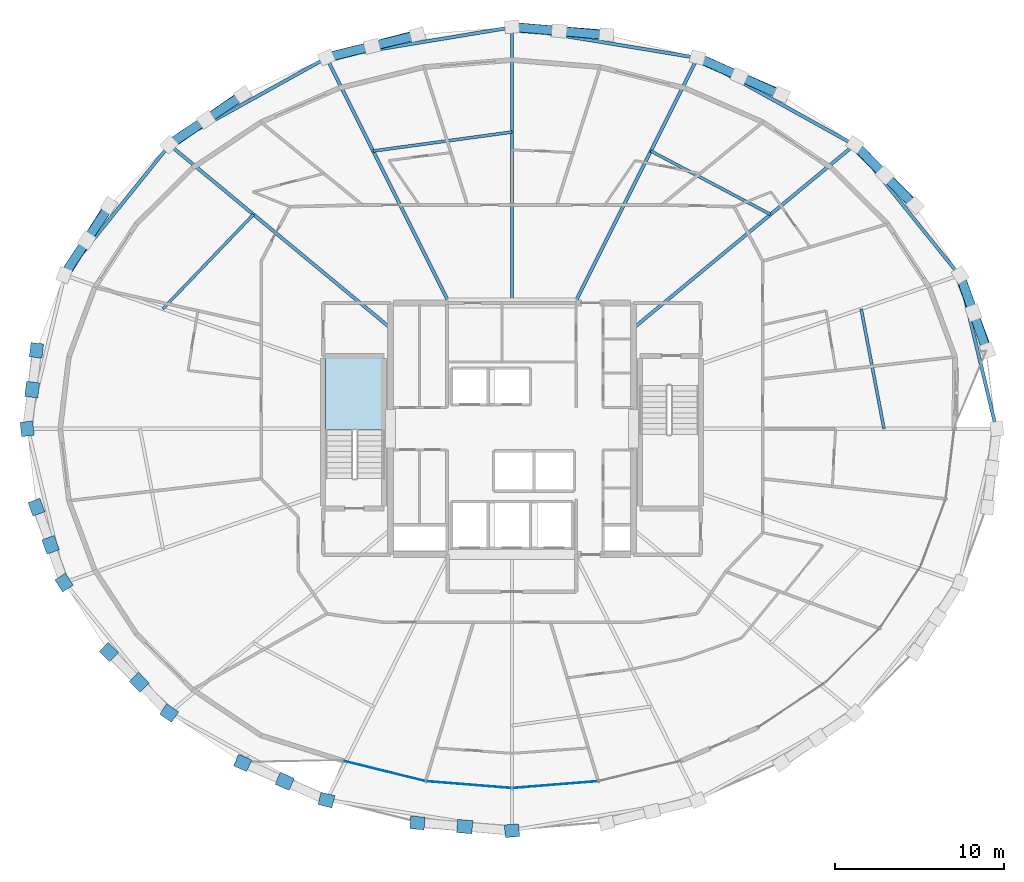
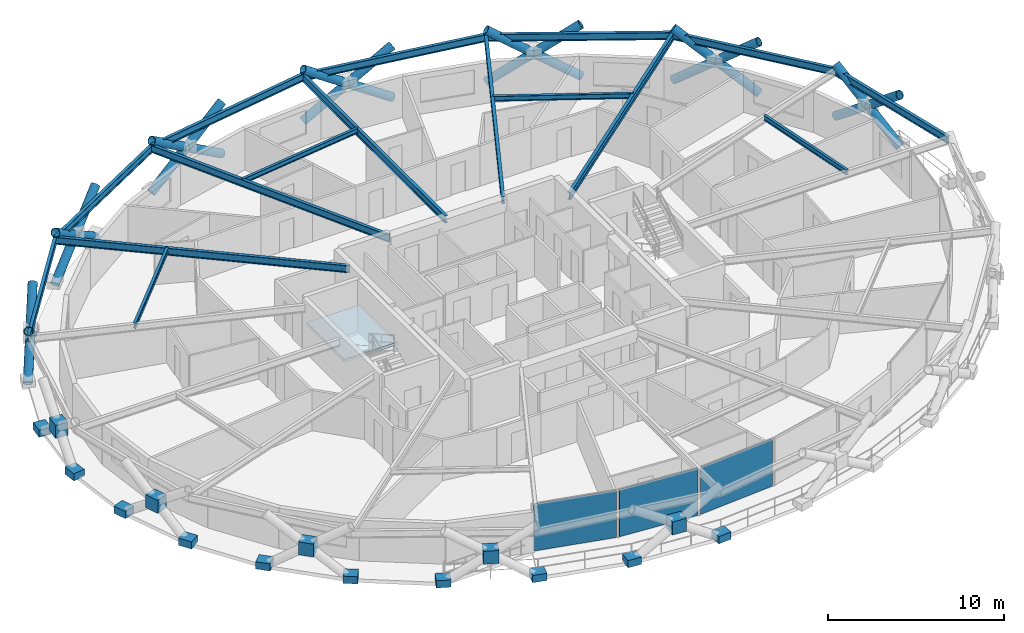
# One storey, part 11 of 20: 21 members, 18 plates, 16 beams, 1 slab, 2 elements without a shape of their own.
"""IFC4 building model written with IfcOpenShell, lengths in metres."""

from ifc_helpers import new_model, si_unit, direction, frame, origin, origin_2d, place, context, subcontext, project, spatial, polyline, rectangle, hollow_circle, i_section, outline, extrude, material, layer, layer_set, material_profile, profile_set, type_object, element, aggregate, save


model = new_model("IFC4")

# Units and contexts
model_context = context("Model", 3, precision=1e-05, world=origin(), true_north=direction((0.0, 1.0)))
body_context = subcontext(model_context, "Body", "Model", "MODEL_VIEW")
ifc_project = project(units=[si_unit("LENGTHUNIT", "METRE"), si_unit("AREAUNIT", "SQUARE_METRE"), si_unit("VOLUMEUNIT", "CUBIC_METRE"), si_unit("PLANEANGLEUNIT", "RADIAN"), si_unit("MASSUNIT", "GRAM", prefix="KILO")], contexts=[model_context])

# Site, building, storey
site_placement = place(None, origin())
site = spatial("IfcSite", under=ifc_project, at=site_placement, CompositionType="ELEMENT")
building_placement = place(site_placement, origin())
building = spatial("IfcBuilding", under=site, at=building_placement, Name="Veldorina Hangang Commons", CompositionType="ELEMENT")
storey_placement = place(building_placement, frame((0.0, 0.0, 117.199951171875)))
storey = spatial("IfcBuildingStorey", under=building, at=storey_placement, Name="L29", CompositionType="ELEMENT", Elevation=117.199951171875)

# Beams
ifc_material_1 = material(Name="Steel SM420-TMC", Category="steel")
ifc_material_profile_1 = material_profile(ifc_material_1, i_section(OverallWidth=0.199951171875, OverallDepth=0.5, WebThickness=0.010009765625, FlangeThickness=0.01611328125, FilletRadius=0.01611328125, at=origin_2d()), Name="H-500x200x10x16")
ifc_profile_set_1 = profile_set([ifc_material_profile_1], Name="Steel SM420-TMC")
beam_type_1 = type_object("IfcBeamType", Name="BM-FG500", PredefinedType="BEAM", material=ifc_profile_set_1)
beam_1_placement = place(storey_placement, frame((39.199951171875, 29.968994140625, 3.10009765625), z_axis=(0.769841337757, 0.638235312937, 0.0), x_axis=(-0.638235312937, 0.769841337757, 0.0)))
element("IfcBeam", 1, at=beam_1_placement, inside=storey, type_object=beam_type_1, Name="L29 radial floor girder 03", PredefinedType="BEAM", context=body_context, shape_type="SweptSolid", body=[
    extrude(i_section(OverallWidth=0.199951171875, OverallDepth=0.5, WebThickness=0.010009765625, FlangeThickness=0.01611328125, FilletRadius=0.01611328125, at=origin_2d()), origin(), (0.0, 0.0, 1.0), 16.9833984375),
])
beam_2_placement = place(storey_placement, frame((35.72216796875, 31.449951171875, 3.10009765625), z_axis=(0.446948690649, 0.894559594397, 0.0), x_axis=(-0.894559594397, 0.446948690649, 0.0)))
element("IfcBeam", 2, at=beam_2_placement, inside=storey, type_object=beam_type_1, Name="L29 radial floor girder 04", PredefinedType="BEAM", context=body_context, shape_type="SweptSolid", body=[
    extrude(i_section(OverallWidth=0.199951171875, OverallDepth=0.5, WebThickness=0.010009765625, FlangeThickness=0.01611328125, FilletRadius=0.01611328125, at=origin_2d()), origin(), (0.0, 0.0, 1.0), 16.2216796875),
])
beam_3_placement = place(storey_placement, frame((32.0, 31.449951171875, 3.10009765625), z_axis=(0.0, 1.0, 0.0), x_axis=(-1.0, 0.0, 0.0)))
element("IfcBeam", 3, at=beam_3_placement, inside=storey, type_object=beam_type_1, Name="L29 radial floor girder 05", PredefinedType="BEAM", context=body_context, shape_type="SweptSolid", body=[
    extrude(i_section(OverallWidth=0.199951171875, OverallDepth=0.5, WebThickness=0.010009765625, FlangeThickness=0.01611328125, FilletRadius=0.01611328125, at=origin_2d()), origin(), (0.0, 0.0, 1.0), 16.32080078125),
])
beam_4_placement = place(storey_placement, frame((28.27783203125, 31.449951171875, 3.10009765625), z_axis=(-0.446948690649, 0.894559594397, 0.0), x_axis=(-0.894559594397, -0.446948690649, 0.0)))
element("IfcBeam", 4, at=beam_4_placement, inside=storey, type_object=beam_type_1, Name="L29 radial floor girder 06", PredefinedType="BEAM", context=body_context, shape_type="SweptSolid", body=[
    extrude(i_section(OverallWidth=0.199951171875, OverallDepth=0.5, WebThickness=0.010009765625, FlangeThickness=0.01611328125, FilletRadius=0.01611328125, at=origin_2d()), origin(), (0.0, 0.0, 1.0), 16.2216796875),
])
beam_5_placement = place(storey_placement, frame((24.800048828125, 29.968994140625, 3.10009765625), z_axis=(-0.769841337757, 0.638235312937, 0.0), x_axis=(-0.638235312937, -0.769841337757, 0.0)))
element("IfcBeam", 5, at=beam_5_placement, inside=storey, type_object=beam_type_1, Name="L29 radial floor girder 07", PredefinedType="BEAM", context=body_context, shape_type="SweptSolid", body=[
    extrude(i_section(OverallWidth=0.199951171875, OverallDepth=0.5, WebThickness=0.010009765625, FlangeThickness=0.01611328125, FilletRadius=0.01611328125, at=origin_2d()), origin(), (0.0, 0.0, 1.0), 16.9833984375),
])
ifc_material_2 = material(Name="Steel SM355-TMC", Category="steel")
ifc_material_profile_2 = material_profile(ifc_material_2, i_section(OverallWidth=0.175048828125, OverallDepth=0.35009765625, WebThickness=0.007080078125, FlangeThickness=0.010986328125, FilletRadius=0.012939453125, at=origin_2d()), Name="H-350x175x7x11")
ifc_profile_set_2 = profile_set([ifc_material_profile_2], Name="Steel SM355-TMC")
beam_type_2 = type_object("IfcBeamType", Name="BM-JST350", PredefinedType="JOIST", material=ifc_profile_set_2)
beam_6_placement = place(storey_placement, frame((54.025390625, 24.0, 3.175048828125), z_axis=(-0.187259583318, 0.982310464393, 0.0), x_axis=(-0.982310464393, -0.187259583318, 0.0)))
element("IfcBeam", 6, at=beam_6_placement, inside=storey, type_object=beam_type_2, Name="L29 secondary floor joist 01", PredefinedType="JOIST", context=body_context, shape_type="SweptSolid", body=[
    extrude(i_section(OverallWidth=0.175048828125, OverallDepth=0.35009765625, WebThickness=0.007080078125, FlangeThickness=0.010986328125, FilletRadius=0.012939453125, at=origin_2d()), origin(), (0.0, 0.0, 1.0), 7.226806640625),
])
beam_7_placement = place(storey_placement, frame((47.30615234375, 36.689453125, 3.175048828125), z_axis=(-0.883548724399, 0.468339248423, 0.0), x_axis=(-0.468339248423, -0.883548724399, 0.0)))
element("IfcBeam", 7, at=beam_7_placement, inside=storey, type_object=beam_type_2, Name="L29 secondary floor joist 03", PredefinedType="JOIST", context=body_context, shape_type="SweptSolid", body=[
    extrude(i_section(OverallWidth=0.175048828125, OverallDepth=0.35009765625, WebThickness=0.007080078125, FlangeThickness=0.010986328125, FilletRadius=0.012939453125, at=origin_2d()), origin(), (0.0, 0.0, 1.0), 8.023193359375),
])
beam_8_placement = place(storey_placement, frame((32.0, 41.56884765625, 3.175048828125), z_axis=(-0.990809376873, -0.135265585796, 0.0), x_axis=(0.135265585796, -0.990809376873, 0.0)))
element("IfcBeam", 8, at=beam_8_placement, inside=storey, type_object=beam_type_2, Name="L29 secondary floor joist 05", PredefinedType="JOIST", context=body_context, shape_type="SweptSolid", body=[
    extrude(i_section(OverallWidth=0.175048828125, OverallDepth=0.35009765625, WebThickness=0.007080078125, FlangeThickness=0.010986328125, FilletRadius=0.012939453125, at=origin_2d()), origin(), (0.0, 0.0, 1.0), 8.29345703125),
])
beam_9_placement = place(storey_placement, frame((16.69384765625, 36.689453125, 3.175048828125), z_axis=(-0.692465587052, -0.721450906679, 0.0), x_axis=(0.721450906679, -0.692465587052, 0.0)))
element("IfcBeam", 9, at=beam_9_placement, inside=storey, type_object=beam_type_2, Name="L29 secondary floor joist 07", PredefinedType="JOIST", context=body_context, shape_type="SweptSolid", body=[
    extrude(i_section(OverallWidth=0.175048828125, OverallDepth=0.35009765625, WebThickness=0.007080078125, FlangeThickness=0.010986328125, FilletRadius=0.012939453125, at=origin_2d()), origin(), (0.0, 0.0, 1.0), 7.7490234375),
])
ifc_material_profile_3 = material_profile(ifc_material_1, i_section(OverallWidth=0.199951171875, OverallDepth=0.5, WebThickness=0.010009765625, FlangeThickness=0.01611328125, FilletRadius=0.01611328125, at=origin_2d()), Name="H-500x200x10x16")
ifc_profile_set_3 = profile_set([ifc_material_profile_3], Name="Steel SM420-TMC")
beam_type_3 = type_object("IfcBeamType", Name="BM-RB500", PredefinedType="BEAM", material=ifc_profile_set_3)
beam_10_placement = place(storey_placement, frame((60.672607421875, 24.0, 3.10009765625), z_axis=(-0.233313728746, 0.972401513768, 0.0), x_axis=(-0.972401513768, -0.233313728746, 0.0)))
element("IfcBeam", 10, at=beam_10_placement, inside=storey, type_object=beam_type_3, Name="L29 perimeter hoop ring beam 00", PredefinedType="BEAM", context=body_context, shape_type="SweptSolid", body=[
    extrude(i_section(OverallWidth=0.199951171875, OverallDepth=0.5, WebThickness=0.010009765625, FlangeThickness=0.01611328125, FilletRadius=0.01611328125, at=origin_2d()), origin(), (0.0, 0.0, 1.0), 9.35498046875),
])
beam_11_placement = place(storey_placement, frame((58.489990234375, 33.0966796875, 3.10009765625), z_axis=(-0.627537549374, 0.778586298444, 0.0), x_axis=(-0.778586298444, -0.627537549374, 0.0)))
element("IfcBeam", 11, at=beam_11_placement, inside=storey, type_object=beam_type_3, Name="L29 perimeter hoop ring beam 02", PredefinedType="BEAM", context=body_context, shape_type="SweptSolid", body=[
    extrude(i_section(OverallWidth=0.199951171875, OverallDepth=0.5, WebThickness=0.010009765625, FlangeThickness=0.01611328125, FilletRadius=0.01611328125, at=origin_2d()), origin(), (0.0, 0.0, 1.0), 9.90478515625),
])
beam_12_placement = place(storey_placement, frame((52.2744140625, 40.808349609375, 3.10009765625), z_axis=(-0.874753328525, 0.484568482503, 0.0), x_axis=(-0.484568482503, -0.874753328525, 0.0)))
element("IfcBeam", 12, at=beam_12_placement, inside=storey, type_object=beam_type_3, Name="L29 perimeter hoop ring beam 04", PredefinedType="BEAM", context=body_context, shape_type="SweptSolid", body=[
    extrude(i_section(OverallWidth=0.199951171875, OverallDepth=0.5, WebThickness=0.010009765625, FlangeThickness=0.01611328125, FilletRadius=0.01611328125, at=origin_2d()), origin(), (0.0, 0.0, 1.0), 10.6337890625),
])
for number, where, z_axis, x_axis, name in (
    (13, (42.972412109375, 45.961181640625, 3.10009765625), (-0.986671965212, 0.162721950162, 0.0), (-0.162721950162, -0.986671965212, 0.0), "L29 perimeter hoop ring beam 06"),
    (14, (32.0, 47.770751953125, 3.10009765625), (-0.986671965212, -0.162721950162, 0.0), (0.162721950162, -0.986671965212, 0.0), "L29 perimeter hoop ring beam 08"),
):
    element("IfcBeam", number, at=place(storey_placement, frame(where, z_axis=z_axis, x_axis=x_axis)), inside=storey, type_object=beam_type_3, Name=name, PredefinedType="BEAM", context=body_context, shape_type="SweptSolid", body=[
        extrude(i_section(OverallWidth=0.199951171875, OverallDepth=0.5, WebThickness=0.010009765625, FlangeThickness=0.01611328125, FilletRadius=0.01611328125, at=origin_2d()), origin(), (0.0, 0.0, 1.0), 11.12060546875),
    ])
beam_13_placement = place(storey_placement, frame((21.027587890625, 45.961181640625, 3.10009765625), z_axis=(-0.874753328525, -0.484568482503, 0.0), x_axis=(0.484568482503, -0.874753328525, 0.0)))
element("IfcBeam", 15, at=beam_13_placement, inside=storey, type_object=beam_type_3, Name="L29 perimeter hoop ring beam 10", PredefinedType="BEAM", context=body_context, shape_type="SweptSolid", body=[
    extrude(i_section(OverallWidth=0.199951171875, OverallDepth=0.5, WebThickness=0.010009765625, FlangeThickness=0.01611328125, FilletRadius=0.01611328125, at=origin_2d()), origin(), (0.0, 0.0, 1.0), 10.6337890625),
])
beam_14_placement = place(storey_placement, frame((11.7255859375, 40.808349609375, 3.10009765625), z_axis=(-0.627537549374, -0.778586298444, 0.0), x_axis=(0.778586298444, -0.627537549374, 0.0)))
element("IfcBeam", 16, at=beam_14_placement, inside=storey, type_object=beam_type_3, Name="L29 perimeter hoop ring beam 12", PredefinedType="BEAM", context=body_context, shape_type="SweptSolid", body=[
    extrude(i_section(OverallWidth=0.199951171875, OverallDepth=0.5, WebThickness=0.010009765625, FlangeThickness=0.01611328125, FilletRadius=0.01611328125, at=origin_2d()), origin(), (0.0, 0.0, 1.0), 9.90478515625),
])

# Members
ifc_material_profile_4 = material_profile(ifc_material_1, hollow_circle(Radius=0.27490234375, WallThickness=0.028076171875, at=origin_2d()), Name="CHS-550x28")
ifc_profile_set_4 = profile_set([ifc_material_profile_4], Name="Steel SM420-TMC")
member_type = type_object("IfcMemberType", Name="DG-CHS550", PredefinedType="BRACE", material=ifc_profile_set_4)
member_1_placement = place(storey_placement, frame((60.15478515625, 28.64208984375, 0.0), z_axis=(-0.279959513186, 0.746558701829, 0.603550143485), x_axis=(-0.936329177569, -0.351123441588, 0.0)))
element("IfcMember", 17, at=member_1_placement, inside=storey, type_object=member_type, Name="L29 continuous perimeter diagrid brace 01", PredefinedType="BRACE", context=body_context, shape_type="SweptSolid", body=[
    extrude(hollow_circle(Radius=0.27490234375, WallThickness=0.028076171875, at=origin_2d()), origin(), (0.0, 0.0, 1.0), 5.96484375),
])
member_2_placement = place(storey_placement, frame((58.521240234375, 33.105712890625, 0.0), z_axis=(0.267832176718, -0.750241432304, 0.604486326039), x_axis=(0.941786114465, 0.336212603275, 0.0)))
element("IfcMember", 18, at=member_2_placement, inside=storey, type_object=member_type, Name="L29 split perimeter diagrid lower brace 02", PredefinedType="BRACE", context=body_context, shape_type="SweptSolid", body=[
    extrude(hollow_circle(Radius=0.27490234375, WallThickness=0.028076171875, at=origin_2d()), origin(), (0.0, 0.0, 1.0), 2.979736328125),
])
member_3_placement = place(storey_placement, frame((59.3193359375, 30.8701171875, 1.80126953125), z_axis=(0.267732602227, -0.750373114331, 0.604366977087), x_axis=(0.941844358319, 0.336049408128, 0.0)))
element("IfcMember", 19, at=member_3_placement, inside=storey, type_object=member_type, Name="L29 split perimeter diagrid upper brace 02", PredefinedType="BRACE", context=body_context, shape_type="SweptSolid", body=[
    extrude(hollow_circle(Radius=0.27490234375, WallThickness=0.028076171875, at=origin_2d()), origin(), (0.0, 0.0, 1.0), 2.976318359375),
])
member_4_placement = place(storey_placement, frame((55.86865234375, 37.219482421875, 0.0), z_axis=(-0.57788530156, 0.575963983893, 0.578198986077), x_axis=(-0.705928372541, -0.708283229254, 0.0)))
element("IfcMember", 20, at=member_4_placement, inside=storey, type_object=member_type, Name="L29 continuous perimeter diagrid brace 03", PredefinedType="BRACE", context=body_context, shape_type="SweptSolid", body=[
    extrude(hollow_circle(Radius=0.27490234375, WallThickness=0.028076171875, at=origin_2d()), origin(), (0.0, 0.0, 1.0), 6.226318359375),
])
member_5_placement = place(storey_placement, frame((52.298583984375, 40.8251953125, 0.0), z_axis=(0.569545340368, -0.582821638647, 0.57960076155), x_axis=(0.715205820325, 0.698913896395, 0.0)))
element("IfcMember", 21, at=member_5_placement, inside=storey, type_object=member_type, Name="L29 split perimeter diagrid lower brace 04", PredefinedType="BRACE", context=body_context, shape_type="SweptSolid", body=[
    extrude(hollow_circle(Radius=0.27490234375, WallThickness=0.028076171875, at=origin_2d()), origin(), (0.0, 0.0, 1.0), 3.107666015625),
])
member_6_placement = place(storey_placement, frame((54.068603515625, 39.013916015625, 1.80126953125), z_axis=(0.569323910188, -0.583088995057, 0.579549401805), x_axis=(0.715501833147, 0.698610855028, 0.0)))
element("IfcMember", 22, at=member_6_placement, inside=storey, type_object=member_type, Name="L29 split perimeter diagrid upper brace 04", PredefinedType="BRACE", context=body_context, shape_type="SweptSolid", body=[
    extrude(hollow_circle(Radius=0.27490234375, WallThickness=0.028076171875, at=origin_2d()), origin(), (0.0, 0.0, 1.0), 3.103759765625),
])
member_7_placement = place(storey_placement, frame((47.948486328125, 43.784423828125, 0.0), z_axis=(-0.763910363109, 0.333512999137, 0.552458176283), x_axis=(-0.40011607299, -0.916464471834, 0.0)))
element("IfcMember", 23, at=member_7_placement, inside=storey, type_object=member_type, Name="L29 continuous perimeter diagrid brace 05", PredefinedType="BRACE", context=body_context, shape_type="SweptSolid", body=[
    extrude(hollow_circle(Radius=0.27490234375, WallThickness=0.028076171875, at=origin_2d()), origin(), (0.0, 0.0, 1.0), 6.5166015625),
])
member_8_placement = place(storey_placement, frame((42.985595703125, 45.9833984375, 0.0), z_axis=(0.759614968066, -0.341549175351, 0.553470198933), x_axis=(0.410087520721, 0.912046175009, 0.0)))
element("IfcMember", 24, at=member_8_placement, inside=storey, type_object=member_type, Name="L29 split perimeter diagrid lower brace 06", PredefinedType="BRACE", context=body_context, shape_type="SweptSolid", body=[
    extrude(hollow_circle(Radius=0.27490234375, WallThickness=0.028076171875, at=origin_2d()), origin(), (0.0, 0.0, 1.0), 3.25439453125),
])
member_9_placement = place(storey_placement, frame((45.457763671875, 44.871826171875, 1.80126953125), z_axis=(0.759583391883, -0.341632245479, 0.553462265763), x_axis=(0.410184664106, 0.912002489762, 0.0)))
element("IfcMember", 25, at=member_9_placement, inside=storey, type_object=member_type, Name="L29 split perimeter diagrid upper brace 06", PredefinedType="BRACE", context=body_context, shape_type="SweptSolid", body=[
    extrude(hollow_circle(Radius=0.27490234375, WallThickness=0.028076171875, at=origin_2d()), origin(), (0.0, 0.0, 1.0), 3.250244140625),
])
member_10_placement = place(storey_placement, frame((37.600341796875, 47.33740234375, 0.0), z_axis=(-0.839442289552, 0.064369806326, 0.539623174582), x_axis=(-0.076457176483, -0.997072866025, 0.0)))
element("IfcMember", 26, at=member_10_placement, inside=storey, type_object=member_type, Name="L29 continuous perimeter diagrid brace 07", PredefinedType="BRACE", context=body_context, shape_type="SweptSolid", body=[
    extrude(hollow_circle(Radius=0.27490234375, WallThickness=0.028076171875, at=origin_2d()), origin(), (0.0, 0.0, 1.0), 6.67138671875),
])
member_11_placement = place(storey_placement, frame((32.0, 47.794677734375, 0.0), z_axis=(0.838636682604, -0.072654530259, 0.53982389149), x_axis=(0.086310799354, 0.996268260016, 0.0)))
element("IfcMember", 27, at=member_11_placement, inside=storey, type_object=member_type, Name="L29 split perimeter diagrid lower brace 08", PredefinedType="BRACE", context=body_context, shape_type="SweptSolid", body=[
    extrude(hollow_circle(Radius=0.27490234375, WallThickness=0.028076171875, at=origin_2d()), origin(), (0.0, 0.0, 1.0), 3.336669921875),
])
member_12_placement = place(storey_placement, frame((34.79833984375, 47.55224609375, 1.80126953125), z_axis=(0.83862950176, -0.07260893205, 0.539841181982), x_axis=(0.086257766674, 0.996272853032, 0.0)))
element("IfcMember", 28, at=member_12_placement, inside=storey, type_object=member_type, Name="L29 split perimeter diagrid upper brace 08", PredefinedType="BRACE", context=body_context, shape_type="SweptSolid", body=[
    extrude(hollow_circle(Radius=0.27490234375, WallThickness=0.028076171875, at=origin_2d()), origin(), (0.0, 0.0, 1.0), 3.33203125),
])
member_13_placement = place(storey_placement, frame((26.399658203125, 47.33740234375, 0.0), z_axis=(-0.812328689821, -0.208695645853, 0.544580781056), x_axis=(0.248829804184, -0.968547225772, 0.0)))
element("IfcMember", 29, at=member_13_placement, inside=storey, type_object=member_type, Name="L29 continuous perimeter diagrid brace 09", PredefinedType="BRACE", context=body_context, shape_type="SweptSolid", body=[
    extrude(hollow_circle(Radius=0.27490234375, WallThickness=0.028076171875, at=origin_2d()), origin(), (0.0, 0.0, 1.0), 6.61083984375),
])
member_14_placement = place(storey_placement, frame((21.014404296875, 45.9833984375, 0.0), z_axis=(0.814845379617, 0.200449161963, 0.543918321796), x_axis=(-0.238875039213, 0.97105031571, 0.0)))
element("IfcMember", 30, at=member_14_placement, inside=storey, type_object=member_type, Name="L29 split perimeter diagrid lower brace 10", PredefinedType="BRACE", context=body_context, shape_type="SweptSolid", body=[
    extrude(hollow_circle(Radius=0.27490234375, WallThickness=0.028076171875, at=origin_2d()), origin(), (0.0, 0.0, 1.0), 3.311767578125),
])
member_15_placement = place(storey_placement, frame((23.712890625, 46.647216796875, 1.80126953125), z_axis=(0.814787022309, 0.200522068919, 0.543978867377), x_axis=(-0.238973099537, 0.971026187957, 0.0)))
element("IfcMember", 31, at=member_15_placement, inside=storey, type_object=member_type, Name="L29 split perimeter diagrid upper brace 10", PredefinedType="BRACE", context=body_context, shape_type="SweptSolid", body=[
    extrude(hollow_circle(Radius=0.27490234375, WallThickness=0.028076171875, at=origin_2d()), origin(), (0.0, 0.0, 1.0), 3.306884765625),
])
member_16_placement = place(storey_placement, frame((16.051513671875, 43.784423828125, 0.0), z_axis=(-0.679026301726, -0.467988471296, 0.565605933754), x_axis=(0.56748185944, -0.823385899325, 0.0)))
element("IfcMember", 32, at=member_16_placement, inside=storey, type_object=member_type, Name="L29 continuous perimeter diagrid brace 11", PredefinedType="BRACE", context=body_context, shape_type="SweptSolid", body=[
    extrude(hollow_circle(Radius=0.27490234375, WallThickness=0.028076171875, at=origin_2d()), origin(), (0.0, 0.0, 1.0), 6.364990234375),
])
member_17_placement = place(storey_placement, frame((11.701416015625, 40.8251953125, 0.0), z_axis=(0.685347109623, 0.460238120379, 0.56434051058), x_axis=(-0.557498049469, 0.830178248835, 0.0)))
element("IfcMember", 33, at=member_17_placement, inside=storey, type_object=member_type, Name="L29 split perimeter diagrid lower brace 12", PredefinedType="BRACE", context=body_context, shape_type="SweptSolid", body=[
    extrude(hollow_circle(Radius=0.27490234375, WallThickness=0.028076171875, at=origin_2d()), origin(), (0.0, 0.0, 1.0), 3.19189453125),
])
member_18_placement = place(storey_placement, frame((13.888916015625, 42.294189453125, 1.80126953125), z_axis=(0.685325054397, 0.460304378288, 0.564313254447), x_axis=(-0.557565725666, 0.830132797547, 0.0)))
element("IfcMember", 34, at=member_18_placement, inside=storey, type_object=member_type, Name="L29 split perimeter diagrid upper brace 12", PredefinedType="BRACE", context=body_context, shape_type="SweptSolid", body=[
    extrude(hollow_circle(Radius=0.27490234375, WallThickness=0.028076171875, at=origin_2d()), origin(), (0.0, 0.0, 1.0), 3.187744140625),
])
member_19_placement = place(storey_placement, frame((8.13134765625, 37.219482421875, 0.0), z_axis=(-0.431182636515, -0.679728282815, 0.593338853868), x_axis=(0.844432475823, -0.535662014498, 0.0)))
element("IfcMember", 35, at=member_19_placement, inside=storey, type_object=member_type, Name="L29 continuous perimeter diagrid brace 13", PredefinedType="BRACE", context=body_context, shape_type="SweptSolid", body=[
    extrude(hollow_circle(Radius=0.27490234375, WallThickness=0.028076171875, at=origin_2d()), origin(), (0.0, 0.0, 1.0), 6.067626953125),
])
member_20_placement = place(storey_placement, frame((5.478759765625, 33.105712890625, 0.0), z_axis=(0.441728277996, 0.673988749747, 0.592127767997), x_axis=(-0.836376109785, 0.548156002412, 0.0)))
element("IfcMember", 36, at=member_20_placement, inside=storey, type_object=member_type, Name="L29 split perimeter diagrid lower brace 14", PredefinedType="BRACE", context=body_context, shape_type="SweptSolid", body=[
    extrude(hollow_circle(Radius=0.27490234375, WallThickness=0.028076171875, at=origin_2d()), origin(), (0.0, 0.0, 1.0), 3.0419921875),
])
member_21_placement = place(storey_placement, frame((6.822509765625, 35.156005859375, 1.80126953125), z_axis=(0.441636350219, 0.674106139372, 0.592062705316), x_axis=(-0.836472162279, 0.548009417557, 0.0)))
element("IfcMember", 37, at=member_21_placement, inside=storey, type_object=member_type, Name="L29 split perimeter diagrid upper brace 14", PredefinedType="BRACE", context=body_context, shape_type="SweptSolid", body=[
    extrude(hollow_circle(Radius=0.27490234375, WallThickness=0.028076171875, at=origin_2d()), origin(), (0.0, 0.0, 1.0), 3.038330078125),
])

# Curtain wall, plates
ifc_material_3 = material(Name="Glass Low-E Triple IGU", Category="glass")
ifc_layer_1 = layer(ifc_material_3, 0.179931640625)
ifc_layer_set_1 = layer_set([ifc_layer_1], Name="Glass Low-E Triple IGU")
curtain_wall_type = type_object("IfcCurtainWallType", Name="CW-SYS-Z2", PredefinedType="NOTDEFINED", material=ifc_layer_set_1)
curtain_wall_placement = place(storey_placement, origin())
curtain_wall = element("IfcCurtainWall", 38, at=curtain_wall_placement, inside=storey, type_object=curtain_wall_type, Name="L29 unitised curtain wall CW-L29-R1", PredefinedType="NOTDEFINED")
ifc_layer_2 = layer(ifc_material_3, 0.0400390625)
ifc_layer_set_2 = layer_set([ifc_layer_2], Name="Glass Low-E Triple IGU")
plate_type_1 = type_object("IfcPlateType", Name="CW-PNL-VIS", PredefinedType="CURTAIN_PANEL", material=ifc_layer_set_2)
plate_1_placement = place(storey_placement, frame((24.43505859375, 3.739501953125, 0.01513671875), z_axis=(0.0, 0.0, 1.0), x_axis=(0.970950813024, -0.239279164758, 0.0)))
plate_1 = element("IfcPlate", 39, at=plate_1_placement, type_object=plate_type_1, Name="CW-L29-R1 facet 1 glazed vision panel", PredefinedType="CURTAIN_PANEL", context=body_context, shape_type="SweptSolid", body=[
    extrude(rectangle(XDim=4.87939453125, YDim=0.0400390625, at=origin_2d()), origin(), (0.0, 0.0, 1.0), 3.280029296875),
])
plate_2_placement = place(storey_placement, frame((29.44580078125, 2.9296875, 0.01513671875), z_axis=(0.0, 0.0, 1.0), x_axis=(0.996813776951, -0.079763989875, 0.0)))
plate_2 = element("IfcPlate", 40, at=plate_2_placement, type_object=plate_type_1, Name="CW-L29-R1 facet 2 glazed vision panel", PredefinedType="CURTAIN_PANEL", context=body_context, shape_type="SweptSolid", body=[
    extrude(rectangle(XDim=4.945068359375, YDim=0.0400390625, at=origin_2d()), origin(), (0.0, 0.0, 1.0), 3.280029296875),
])
plate_3_placement = place(storey_placement, frame((34.55419921875, 2.9296875, 0.01513671875), z_axis=(0.0, 0.0, 1.0), x_axis=(0.996813776951, 0.079763989875, 0.0)))
plate_3 = element("IfcPlate", 41, at=plate_3_placement, type_object=plate_type_1, Name="CW-L29-R1 facet 3 glazed vision panel", PredefinedType="CURTAIN_PANEL", context=body_context, shape_type="SweptSolid", body=[
    extrude(rectangle(XDim=4.945068359375, YDim=0.0400390625, at=origin_2d()), origin(), (0.0, 0.0, 1.0), 3.280029296875),
])
aggregate(curtain_wall, [plate_1, plate_2, plate_3])

# Plates
ifc_material_4 = material(Name="Steel SM460-TMC", Category="steel")
ifc_layer_3 = layer(ifc_material_4, 0.035888671875)
ifc_layer_set_3 = layer_set([ifc_layer_3], Name="Steel SM460-TMC")
plate_type_2 = type_object("IfcPlateType", Name="PL-STAR-36", PredefinedType="USERDEFINED", material=ifc_layer_set_3)
plate_4_placement = place(storey_placement, frame((3.84521484375, 28.64208984375, -0.08984375), z_axis=(0.0, 0.0, 1.0), x_axis=(-0.117988025512, -0.993015017931, 0.0)))
element("IfcPlate", 42, at=plate_4_placement, inside=storey, type_object=plate_type_2, Name="L29 diagrid star-node gusset plate 15", ObjectType="GUSSET PLATE", PredefinedType="USERDEFINED", context=body_context, shape_type="SweptSolid", body=[
    extrude(rectangle(XDim=0.85009765625, YDim=0.75, at=origin_2d()), origin(), (0.0, 0.0, 1.0), 0.5),
])
plate_5_placement = place(storey_placement, frame((3.5888671875, 26.319580078125, 1.351318359375), z_axis=(0.0, 0.0, 1.0), x_axis=(-0.117988025512, -0.993015017931, 0.0)))
element("IfcPlate", 43, at=plate_5_placement, inside=storey, type_object=plate_type_2, Name="L29 diagrid X-crossing star-node gusset plate 15", ObjectType="GUSSET PLATE", PredefinedType="USERDEFINED", context=body_context, shape_type="SweptSolid", body=[
    extrude(rectangle(XDim=0.89990234375, YDim=0.780029296875, at=origin_2d()), origin(), (0.0, 0.0, 1.0), 0.89990234375),
])
for number, where, z_axis, x_axis, name in (
    (44, (3.29345703125, 24.0, -0.08984375), (0.0, 0.0, 1.0), (0.117988025512, -0.993015017931, 0.0), "L29 diagrid star-node gusset plate 16"),
    (45, (3.84521484375, 19.35791015625, -0.08984375), (0.0, 0.0, 1.0), (0.34367608482, -0.939088253959, 0.0), "L29 diagrid star-node gusset plate 17"),
):
    element("IfcPlate", number, at=place(storey_placement, frame(where, z_axis=z_axis, x_axis=x_axis)), inside=storey, type_object=plate_type_2, Name=name, ObjectType="GUSSET PLATE", PredefinedType="USERDEFINED", context=body_context, shape_type="SweptSolid", body=[
        extrude(rectangle(XDim=0.85009765625, YDim=0.75, at=origin_2d()), origin(), (0.0, 0.0, 1.0), 0.5),
    ])
plate_6_placement = place(storey_placement, frame((4.6806640625, 17.1298828125, 1.351318359375), z_axis=(0.0, 0.0, 1.0), x_axis=(0.34367608482, -0.939088253959, 0.0)))
element("IfcPlate", 46, at=plate_6_placement, inside=storey, type_object=plate_type_2, Name="L29 diagrid X-crossing star-node gusset plate 17", ObjectType="GUSSET PLATE", PredefinedType="USERDEFINED", context=body_context, shape_type="SweptSolid", body=[
    extrude(rectangle(XDim=0.89990234375, YDim=0.780029296875, at=origin_2d()), origin(), (0.0, 0.0, 1.0), 0.89990234375),
])
for number, where, z_axis, x_axis, name in (
    (47, (5.478759765625, 14.894287109375, -0.08984375), (0.0, 0.0, 1.0), (0.541928251538, -0.840424755814, 0.0), "L29 diagrid star-node gusset plate 18"),
    (48, (8.13134765625, 10.780517578125, -0.08984375), (0.0, 0.0, 1.0), (0.703580765571, -0.710615301214, 0.0), "L29 diagrid star-node gusset plate 19"),
):
    element("IfcPlate", number, at=place(storey_placement, frame(where, z_axis=z_axis, x_axis=x_axis)), inside=storey, type_object=plate_type_2, Name=name, ObjectType="GUSSET PLATE", PredefinedType="USERDEFINED", context=body_context, shape_type="SweptSolid", body=[
        extrude(rectangle(XDim=0.85009765625, YDim=0.75, at=origin_2d()), origin(), (0.0, 0.0, 1.0), 0.5),
    ])
plate_7_placement = place(storey_placement, frame((9.931396484375, 8.986083984375, 1.351318359375), z_axis=(0.0, 0.0, 1.0), x_axis=(0.703580765571, -0.710615301214, 0.0)))
element("IfcPlate", 49, at=plate_7_placement, inside=storey, type_object=plate_type_2, Name="L29 diagrid X-crossing star-node gusset plate 19", ObjectType="GUSSET PLATE", PredefinedType="USERDEFINED", context=body_context, shape_type="SweptSolid", body=[
    extrude(rectangle(XDim=0.89990234375, YDim=0.780029296875, at=origin_2d()), origin(), (0.0, 0.0, 1.0), 0.89990234375),
])
for number, where, z_axis, x_axis, name in (
    (50, (11.701416015625, 7.1748046875, -0.08984375), (0.0, 0.0, 1.0), (0.826825423781, -0.562458637226, 0.0), "L29 diagrid star-node gusset plate 20"),
    (51, (16.051513671875, 4.215576171875, -0.08984375), (0.0, 0.0, 1.0), (0.914289307026, -0.405061801529, 0.0), "L29 diagrid star-node gusset plate 21"),
):
    element("IfcPlate", number, at=place(storey_placement, frame(where, z_axis=z_axis, x_axis=x_axis)), inside=storey, type_object=plate_type_2, Name=name, ObjectType="GUSSET PLATE", PredefinedType="USERDEFINED", context=body_context, shape_type="SweptSolid", body=[
        extrude(rectangle(XDim=0.85009765625, YDim=0.75, at=origin_2d()), origin(), (0.0, 0.0, 1.0), 0.5),
    ])
plate_8_placement = place(storey_placement, frame((18.542236328125, 3.128173828125, 1.351318359375), z_axis=(0.0, 0.0, 1.0), x_axis=(0.914289307026, -0.405061801529, 0.0)))
element("IfcPlate", 52, at=plate_8_placement, inside=storey, type_object=plate_type_2, Name="L29 diagrid X-crossing star-node gusset plate 21", ObjectType="GUSSET PLATE", PredefinedType="USERDEFINED", context=body_context, shape_type="SweptSolid", body=[
    extrude(rectangle(XDim=0.89990234375, YDim=0.780029296875, at=origin_2d()), origin(), (0.0, 0.0, 1.0), 0.89990234375),
])
for number, where, z_axis, x_axis, name in (
    (53, (21.014404296875, 2.0166015625, -0.08984375), (0.0, 0.0, 1.0), (0.969808203788, -0.243868915334, 0.0), "L29 diagrid star-node gusset plate 22"),
    (54, (26.399658203125, 0.66259765625, -0.08984375), (0.0, 0.0, 1.0), (0.996684414702, -0.081364473144, 0.0), "L29 diagrid star-node gusset plate 23"),
):
    element("IfcPlate", number, at=place(storey_placement, frame(where, z_axis=z_axis, x_axis=x_axis)), inside=storey, type_object=plate_type_2, Name=name, ObjectType="GUSSET PLATE", PredefinedType="USERDEFINED", context=body_context, shape_type="SweptSolid", body=[
        extrude(rectangle(XDim=0.85009765625, YDim=0.75, at=origin_2d()), origin(), (0.0, 0.0, 1.0), 0.5),
    ])
plate_9_placement = place(storey_placement, frame((29.20166015625, 0.44775390625, 1.351318359375), z_axis=(0.0, 0.0, 1.0), x_axis=(0.996684414702, -0.081364473144, 0.0)))
element("IfcPlate", 55, at=plate_9_placement, inside=storey, type_object=plate_type_2, Name="L29 diagrid X-crossing star-node gusset plate 23", ObjectType="GUSSET PLATE", PredefinedType="USERDEFINED", context=body_context, shape_type="SweptSolid", body=[
    extrude(rectangle(XDim=0.89990234375, YDim=0.780029296875, at=origin_2d()), origin(), (0.0, 0.0, 1.0), 0.89990234375),
])
plate_10_placement = place(storey_placement, frame((32.0, 0.205322265625, -0.08984375), z_axis=(0.0, 0.0, 1.0), x_axis=(0.996684414702, 0.081364473144, 0.0)))
element("IfcPlate", 56, at=plate_10_placement, inside=storey, type_object=plate_type_2, Name="L29 diagrid star-node gusset plate 24", ObjectType="GUSSET PLATE", PredefinedType="USERDEFINED", context=body_context, shape_type="SweptSolid", body=[
    extrude(rectangle(XDim=0.85009765625, YDim=0.75, at=origin_2d()), origin(), (0.0, 0.0, 1.0), 0.5),
])

# Stair, slab
ifc_material_5 = material(Name="Concrete C40/50", Category="concrete")
stair_type = type_object("IfcStairType", Name="STR-DOG-1650-20R", PredefinedType="HALF_TURN_STAIR", material=ifc_material_5)
stair_placement = place(storey_placement, origin())
stair = element("IfcStair", 57, at=stair_placement, inside=storey, type_object=stair_type, Name="L29 Exit stair ST-1", PredefinedType="HALF_TURN_STAIR")
ifc_layer_4 = layer(ifc_material_5, 0.199951171875)
ifc_layer_set_4 = layer_set([ifc_layer_4], Name="Concrete C40/50")
slab_type = type_object("IfcSlabType", Name="SL-LND-200", PredefinedType="LANDING", material=ifc_layer_set_4)
slab_placement = place(storey_placement, frame((0.0, 0.0, 1.60009765625)))
slab = element("IfcSlab", 58, at=slab_placement, type_object=slab_type, Name="ST-1 landing 1", PredefinedType="LANDING", context=body_context, shape_type="SweptSolid", body=[
    extrude(outline(polyline([(24.449951171875, 23.929931640625), (24.449951171875, 28.199951171875), (20.949951171875, 28.199951171875), (20.949951171875, 23.929931640625), (24.449951171875, 23.929931640625)])), origin(), (0.0, 0.0, 1.0), 0.199951171875),
])
aggregate(stair, [slab])

save(model, "model.ifc")
